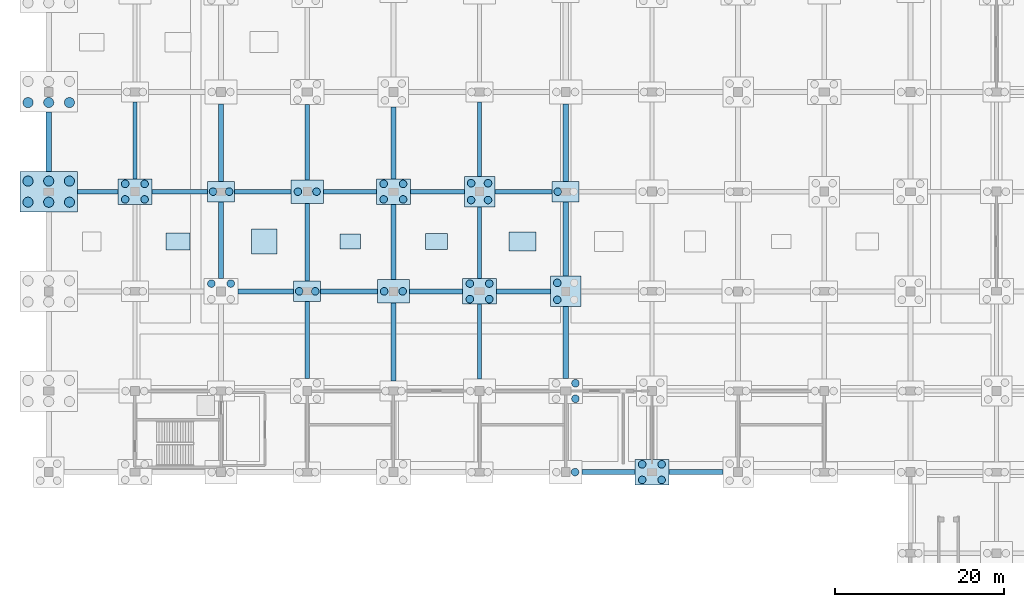
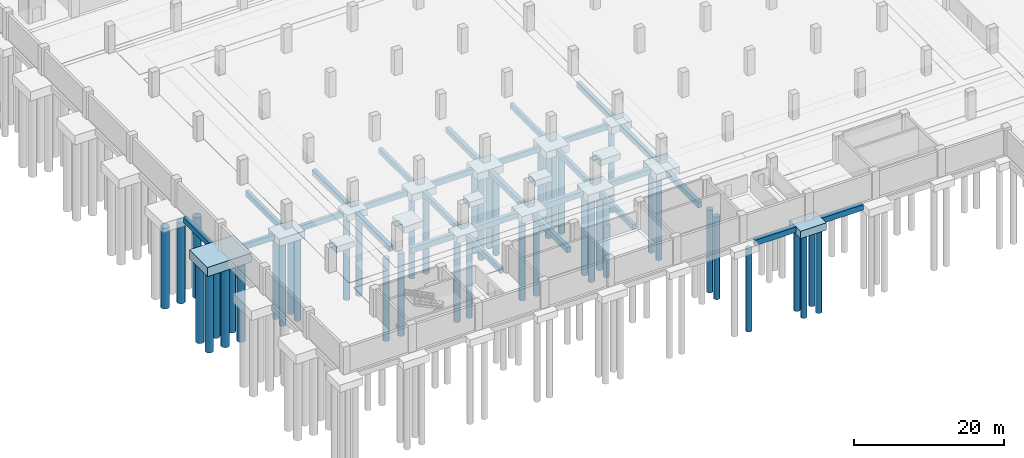
# One storey, part 2 of 52: 45 footings, 45 piles.
"""IFC4 building model written with IfcOpenShell, lengths in metres."""

from ifc_helpers import new_model, si_unit, direction, frame, origin, origin_2d, place, context, subcontext, project, spatial, polyline, rectangle, circle, outline, extrude, material, material_profile, profile_set, type_object, element, save


model = new_model("IFC4")

# Units and contexts
model_context = context("Model", 3, precision=1e-05, world=origin(), true_north=direction((0.0, 1.0)))
body_context = subcontext(model_context, "Body", "Model", "MODEL_VIEW")
ifc_project = project(units=[si_unit("LENGTHUNIT", "METRE"), si_unit("AREAUNIT", "SQUARE_METRE"), si_unit("VOLUMEUNIT", "CUBIC_METRE"), si_unit("PLANEANGLEUNIT", "RADIAN"), si_unit("MASSUNIT", "GRAM", prefix="KILO")], contexts=[model_context])

# Site, building, storey
site_placement = place(None, origin())
site = spatial("IfcSite", under=ifc_project, at=site_placement, CompositionType="ELEMENT")
building_placement = place(site_placement, origin())
building = spatial("IfcBuilding", under=site, at=building_placement, Name="Brelvane Convention Centre", CompositionType="ELEMENT")
storey_placement = place(building_placement, frame((0.0, 0.0, -4.5)))
storey = spatial("IfcBuildingStorey", under=building, at=storey_placement, Name="B1", CompositionType="ELEMENT", Elevation=-4.5)

# Piles
ifc_material_1 = material(Name="Concrete M40", Category="concrete")
ifc_material_profile_1 = material_profile(ifc_material_1, circle(Radius=0.60009765625, at=origin_2d()), Name="PILE D1200")
ifc_profile_set_1 = profile_set([ifc_material_profile_1], Name="Concrete M40")
pile_type_1 = type_object("IfcPileType", Name="Bored Pile PL-1200", PredefinedType="BORED", material=ifc_profile_set_1)
for number, where, z_axis, x_axis, name in (
    (1, (-2.449951171875, 51.14990234375, -1.85009765625), (0.0, 0.0, -1.0), (1.0, 0.0, 0.0), "Bored Pile PL-1200 1-F-1"),
    (2, (0.0, 51.14990234375, -1.85009765625), (0.0, 0.0, -1.0), (1.0, 0.0, 0.0), "Bored Pile PL-1200 1-F-2"),
    (3, (2.449951171875, 51.14990234375, -1.85009765625), (0.0, 0.0, -1.0), (1.0, 0.0, 0.0), "Bored Pile PL-1200 1-F-3"),
    (4, (-2.449951171875, 53.64990234375, -1.85009765625), (0.0, 0.0, -1.0), (1.0, 0.0, 0.0), "Bored Pile PL-1200 1-F-4"),
    (5, (0.0, 53.64990234375, -1.85009765625), (0.0, 0.0, -1.0), (1.0, 0.0, 0.0), "Bored Pile PL-1200 1-F-5"),
    (6, (2.449951171875, 53.64990234375, -1.85009765625), (0.0, 0.0, -1.0), (1.0, 0.0, 0.0), "Bored Pile PL-1200 1-F-6"),
    (7, (-2.449951171875, 62.949951171875, -1.85009765625), (0.0, 0.0, -1.0), (1.0, 0.0, 0.0), "Bored Pile PL-1200 1-G-1"),
    (8, (0.0, 62.949951171875, -1.85009765625), (0.0, 0.0, -1.0), (1.0, 0.0, 0.0), "Bored Pile PL-1200 1-G-2"),
    (9, (2.449951171875, 62.949951171875, -1.85009765625), (0.0, 0.0, -1.0), (1.0, 0.0, 0.0), "Bored Pile PL-1200 1-G-3"),
):
    element("IfcPile", number, at=place(storey_placement, frame(where, z_axis=z_axis, x_axis=x_axis)), inside=storey, type_object=pile_type_1, Name=name, PredefinedType="BORED", context=body_context, shape_type="SweptSolid", body=[
        extrude(circle(Radius=0.60009765625, at=origin_2d()), origin(), (0.0, 0.0, 1.0), 13.14990234375),
    ])
ifc_material_2 = material(Name="Concrete M40", Category="concrete")
ifc_material_profile_2 = material_profile(ifc_material_2, circle(Radius=0.449951171875, at=origin_2d()), Name="PILE D900")
ifc_profile_set_2 = profile_set([ifc_material_profile_2], Name="Concrete M40")
pile_type_2 = type_object("IfcPileType", Name="Bored Pile PL-900", PredefinedType="BORED", material=ifc_profile_set_2)
for number, where, z_axis, x_axis, name in (
    (10, (9.050048828125, 51.47998046875, -1.550048828125), (0.0, 0.0, -1.0), (1.0, 0.0, 0.0), "Bored Pile PL-900 2-F-1"),
    (11, (11.35009765625, 51.47998046875, -1.550048828125), (0.0, 0.0, -1.0), (1.0, 0.0, 0.0), "Bored Pile PL-900 2-F-2"),
    (12, (9.050048828125, 53.320068359375, -1.550048828125), (0.0, 0.0, -1.0), (1.0, 0.0, 0.0), "Bored Pile PL-900 2-F-3"),
    (13, (11.35009765625, 53.320068359375, -1.550048828125), (0.0, 0.0, -1.0), (1.0, 0.0, 0.0), "Bored Pile PL-900 2-F-4"),
    (14, (19.25, 41.52001953125, -1.550048828125), (0.0, 0.0, -1.0), (1.0, 0.0, 0.0), "Bored Pile PL-900 3-E-3"),
    (15, (21.550048828125, 41.52001953125, -1.550048828125), (0.0, 0.0, -1.0), (1.0, 0.0, 0.0), "Bored Pile PL-900 3-E-4"),
):
    element("IfcPile", number, at=place(storey_placement, frame(where, z_axis=z_axis, x_axis=x_axis)), inside=storey, type_object=pile_type_2, Name=name, PredefinedType="BORED", context=body_context, shape_type="SweptSolid", body=[
        extrude(circle(Radius=0.449951171875, at=origin_2d()), origin(), (0.0, 0.0, 1.0), 13.449951171875),
    ])
for number, where, z_axis, x_axis, name in (
    (16, (19.449951171875, 52.39990234375, -1.449951171875), (0.0, 0.0, -1.0), (1.0, 0.0, 0.0), "Bored Pile PL-900 3-F-1"),
    (17, (21.35009765625, 52.39990234375, -1.449951171875), (0.0, 0.0, -1.0), (1.0, 0.0, 0.0), "Bored Pile PL-900 3-F-2"),
    (18, (29.64990234375, 40.60009765625, -1.449951171875), (0.0, 0.0, -1.0), (1.0, 0.0, 0.0), "Bored Pile PL-900 4-E-1"),
    (19, (31.550048828125, 40.60009765625, -1.449951171875), (0.0, 0.0, -1.0), (1.0, 0.0, 0.0), "Bored Pile PL-900 4-E-2"),
):
    element("IfcPile", number, at=place(storey_placement, frame(where, z_axis=z_axis, x_axis=x_axis)), inside=storey, type_object=pile_type_2, Name=name, PredefinedType="BORED", context=body_context, shape_type="SweptSolid", body=[
        extrude(circle(Radius=0.449951171875, at=origin_2d()), origin(), (0.0, 0.0, 1.0), 13.550048828125),
    ])
for number, where, z_axis, x_axis, name in (
    (20, (29.5, 52.39990234375, -1.5), (0.0, 0.0, -1.0), (1.0, 0.0, 0.0), "Bored Pile PL-900 4-F-1"),
    (21, (31.699951171875, 52.39990234375, -1.5), (0.0, 0.0, -1.0), (1.0, 0.0, 0.0), "Bored Pile PL-900 4-F-2"),
    (22, (39.699951171875, 40.60009765625, -1.5), (0.0, 0.0, -1.0), (1.0, 0.0, 0.0), "Bored Pile PL-900 5-E-1"),
    (23, (41.89990234375, 40.60009765625, -1.5), (0.0, 0.0, -1.0), (1.0, 0.0, 0.0), "Bored Pile PL-900 5-E-2"),
):
    element("IfcPile", number, at=place(storey_placement, frame(where, z_axis=z_axis, x_axis=x_axis)), inside=storey, type_object=pile_type_2, Name=name, PredefinedType="BORED", context=body_context, shape_type="SweptSolid", body=[
        extrude(circle(Radius=0.449951171875, at=origin_2d()), origin(), (0.0, 0.0, 1.0), 13.5),
    ])
for number, where, z_axis, x_axis, name in (
    (24, (39.64990234375, 51.47998046875, -1.550048828125), (0.0, 0.0, -1.0), (1.0, 0.0, 0.0), "Bored Pile PL-900 5-F-1"),
    (25, (41.949951171875, 51.47998046875, -1.550048828125), (0.0, 0.0, -1.0), (1.0, 0.0, 0.0), "Bored Pile PL-900 5-F-2"),
    (26, (39.64990234375, 53.320068359375, -1.550048828125), (0.0, 0.0, -1.0), (1.0, 0.0, 0.0), "Bored Pile PL-900 5-F-3"),
    (27, (41.949951171875, 53.320068359375, -1.550048828125), (0.0, 0.0, -1.0), (1.0, 0.0, 0.0), "Bored Pile PL-900 5-F-4"),
    (28, (49.85009765625, 39.679931640625, -1.550048828125), (0.0, 0.0, -1.0), (1.0, 0.0, 0.0), "Bored Pile PL-900 6-E-1"),
    (29, (52.14990234375, 39.679931640625, -1.550048828125), (0.0, 0.0, -1.0), (1.0, 0.0, 0.0), "Bored Pile PL-900 6-E-2"),
    (30, (49.85009765625, 41.52001953125, -1.550048828125), (0.0, 0.0, -1.0), (1.0, 0.0, 0.0), "Bored Pile PL-900 6-E-3"),
    (31, (52.14990234375, 41.52001953125, -1.550048828125), (0.0, 0.0, -1.0), (1.0, 0.0, 0.0), "Bored Pile PL-900 6-E-4"),
    (32, (50.0, 51.39990234375, -1.550048828125), (0.0, 0.0, -1.0), (1.0, 0.0, 0.0), "Bored Pile PL-900 6-F-1"),
    (33, (52.0, 51.39990234375, -1.550048828125), (0.0, 0.0, -1.0), (1.0, 0.0, 0.0), "Bored Pile PL-900 6-F-2"),
    (34, (50.0, 53.39990234375, -1.550048828125), (0.0, 0.0, -1.0), (1.0, 0.0, 0.0), "Bored Pile PL-900 6-F-3"),
    (35, (52.0, 53.39990234375, -1.550048828125), (0.0, 0.0, -1.0), (1.0, 0.0, 0.0), "Bored Pile PL-900 6-F-4"),
):
    element("IfcPile", number, at=place(storey_placement, frame(where, z_axis=z_axis, x_axis=x_axis)), inside=storey, type_object=pile_type_2, Name=name, PredefinedType="BORED", context=body_context, shape_type="SweptSolid", body=[
        extrude(circle(Radius=0.449951171875, at=origin_2d()), origin(), (0.0, 0.0, 1.0), 13.449951171875),
    ])
pile_1_placement = place(storey_placement, frame((62.300048828125, 19.199951171875, -1.5), z_axis=(0.0, 0.0, -1.0), x_axis=(1.0, 0.0, 0.0)))
element("IfcPile", 36, at=pile_1_placement, inside=storey, type_object=pile_type_2, Name="Bored Pile PL-900 7-C-2", PredefinedType="BORED", context=body_context, shape_type="SweptSolid", body=[
    extrude(circle(Radius=0.449951171875, at=origin_2d()), origin(), (0.0, 0.0, 1.0), 13.5),
])
for number, where, z_axis, x_axis, name in (
    (37, (62.35009765625, 27.8798828125, -1.550048828125), (0.0, 0.0, -1.0), (1.0, 0.0, 0.0), "Bored Pile PL-900 7-D-2"),
    (38, (62.35009765625, 29.719970703125, -1.550048828125), (0.0, 0.0, -1.0), (1.0, 0.0, 0.0), "Bored Pile PL-900 7-D-4"),
    (39, (60.199951171875, 39.60009765625, -1.550048828125), (0.0, 0.0, -1.0), (1.0, 0.0, 0.0), "Bored Pile PL-900 7-E-1"),
    (40, (60.199951171875, 41.60009765625, -1.550048828125), (0.0, 0.0, -1.0), (1.0, 0.0, 0.0), "Bored Pile PL-900 7-E-3"),
):
    element("IfcPile", number, at=place(storey_placement, frame(where, z_axis=z_axis, x_axis=x_axis)), inside=storey, type_object=pile_type_2, Name=name, PredefinedType="BORED", context=body_context, shape_type="SweptSolid", body=[
        extrude(circle(Radius=0.449951171875, at=origin_2d()), origin(), (0.0, 0.0, 1.0), 13.449951171875),
    ])
pile_2_placement = place(storey_placement, frame((60.25, 52.39990234375, -1.449951171875), z_axis=(0.0, 0.0, -1.0), x_axis=(1.0, 0.0, 0.0)))
element("IfcPile", 41, at=pile_2_placement, inside=storey, type_object=pile_type_2, Name="Bored Pile PL-900 7-F-1", PredefinedType="BORED", context=body_context, shape_type="SweptSolid", body=[
    extrude(circle(Radius=0.449951171875, at=origin_2d()), origin(), (0.0, 0.0, 1.0), 13.550048828125),
])
for number, where, z_axis, x_axis, name in (
    (42, (70.25, 18.280029296875, -1.550048828125), (0.0, 0.0, -1.0), (1.0, 0.0, 0.0), "Bored Pile PL-900 8-C-1"),
    (43, (72.550048828125, 18.280029296875, -1.550048828125), (0.0, 0.0, -1.0), (1.0, 0.0, 0.0), "Bored Pile PL-900 8-C-2"),
    (44, (70.25, 20.1201171875, -1.550048828125), (0.0, 0.0, -1.0), (1.0, 0.0, 0.0), "Bored Pile PL-900 8-C-3"),
    (45, (72.550048828125, 20.1201171875, -1.550048828125), (0.0, 0.0, -1.0), (1.0, 0.0, 0.0), "Bored Pile PL-900 8-C-4"),
):
    element("IfcPile", number, at=place(storey_placement, frame(where, z_axis=z_axis, x_axis=x_axis)), inside=storey, type_object=pile_type_2, Name=name, PredefinedType="BORED", context=body_context, shape_type="SweptSolid", body=[
        extrude(circle(Radius=0.449951171875, at=origin_2d()), origin(), (0.0, 0.0, 1.0), 13.449951171875),
    ])

# Footings
ifc_material_3 = material(Name="Concrete M40", Category="concrete")
ifc_material_profile_3 = material_profile(ifc_material_3, rectangle(XDim=0.60009765625, YDim=0.89990234375, at=origin_2d()), Name="RC 600x900")
ifc_profile_set_3 = profile_set([ifc_material_profile_3], Name="Concrete M40")
footing_type_1 = type_object("IfcFootingType", Name="Ground Tie Beam GB-1", PredefinedType="FOOTING_BEAM", material=ifc_profile_set_3)
footing_1_placement = place(storey_placement, frame((0.0, 54.800048828125, -0.89990234375), z_axis=(0.0, 1.0, 0.0), x_axis=(-1.0, 0.0, 0.0)))
element("IfcFooting", 46, at=footing_1_placement, inside=storey, type_object=footing_type_1, Name="Ground Tie Beam GB-1 1/F-G", PredefinedType="FOOTING_BEAM", context=body_context, shape_type="SweptSolid", body=[
    extrude(rectangle(XDim=0.60009765625, YDim=0.89990234375, at=origin_2d()), origin(), (0.0, 0.0, 1.0), 7.0),
])
footing_2_placement = place(storey_placement, frame((22.39990234375, 40.60009765625, -0.89990234375), z_axis=(1.0, 0.0, 0.0), x_axis=(0.0, 1.0, 0.0)))
element("IfcFooting", 47, at=footing_2_placement, inside=storey, type_object=footing_type_1, Name="Ground Tie Beam GB-1 3-4/E", PredefinedType="FOOTING_BEAM", context=body_context, shape_type="SweptSolid", body=[
    extrude(rectangle(XDim=0.60009765625, YDim=0.89990234375, at=origin_2d()), origin(), (0.0, 0.0, 1.0), 6.60009765625),
])
footing_3_placement = place(storey_placement, frame((20.39990234375, 42.10009765625, -0.89990234375), z_axis=(0.0, 1.0, 0.0), x_axis=(-1.0, 0.0, 0.0)))
element("IfcFooting", 48, at=footing_3_placement, inside=storey, type_object=footing_type_1, Name="Ground Tie Beam GB-1 3/E-F", PredefinedType="FOOTING_BEAM", context=body_context, shape_type="SweptSolid", body=[
    extrude(rectangle(XDim=0.60009765625, YDim=0.89990234375, at=origin_2d()), origin(), (0.0, 0.0, 1.0), 9.099853515625),
])
footing_4_placement = place(storey_placement, frame((20.39990234375, 53.60009765625, -0.89990234375), z_axis=(0.0, 1.0, 0.0), x_axis=(-1.0, 0.0, 0.0)))
element("IfcFooting", 49, at=footing_4_placement, inside=storey, type_object=footing_type_1, Name="Ground Tie Beam GB-1 3/F-G", PredefinedType="FOOTING_BEAM", context=body_context, shape_type="SweptSolid", body=[
    extrude(rectangle(XDim=0.60009765625, YDim=0.89990234375, at=origin_2d()), origin(), (0.0, 0.0, 1.0), 9.199951171875),
])
footing_5_placement = place(storey_placement, frame((32.199951171875, 40.60009765625, -0.89990234375), z_axis=(1.0, 0.0, 0.0), x_axis=(0.0, 1.0, 0.0)))
element("IfcFooting", 50, at=footing_5_placement, inside=storey, type_object=footing_type_1, Name="Ground Tie Beam GB-1 4-5/E", PredefinedType="FOOTING_BEAM", context=body_context, shape_type="SweptSolid", body=[
    extrude(rectangle(XDim=0.60009765625, YDim=0.89990234375, at=origin_2d()), origin(), (0.0, 0.0, 1.0), 6.699951171875),
])
footing_6_placement = place(storey_placement, frame((40.800048828125, 30.0, -0.89990234375), z_axis=(0.0, 1.0, 0.0), x_axis=(-1.0, 0.0, 0.0)))
element("IfcFooting", 51, at=footing_6_placement, inside=storey, type_object=footing_type_1, Name="Ground Tie Beam GB-1 5/D-E", PredefinedType="FOOTING_BEAM", context=body_context, shape_type="SweptSolid", body=[
    extrude(rectangle(XDim=0.60009765625, YDim=0.89990234375, at=origin_2d()), origin(), (0.0, 0.0, 1.0), 9.199951171875),
])
footing_7_placement = place(storey_placement, frame((42.699951171875, 40.60009765625, -0.89990234375), z_axis=(1.0, 0.0, 0.0), x_axis=(0.0, 1.0, 0.0)))
element("IfcFooting", 52, at=footing_7_placement, inside=storey, type_object=footing_type_1, Name="Ground Tie Beam GB-1 5-6/E", PredefinedType="FOOTING_BEAM", context=body_context, shape_type="SweptSolid", body=[
    extrude(rectangle(XDim=0.60009765625, YDim=0.89990234375, at=origin_2d()), origin(), (0.0, 0.0, 1.0), 6.300048828125),
])
footing_8_placement = place(storey_placement, frame((40.800048828125, 42.0, -0.89990234375), z_axis=(0.0, 1.0, 0.0), x_axis=(-1.0, 0.0, 0.0)))
element("IfcFooting", 53, at=footing_8_placement, inside=storey, type_object=footing_type_1, Name="Ground Tie Beam GB-1 5/E-F", PredefinedType="FOOTING_BEAM", context=body_context, shape_type="SweptSolid", body=[
    extrude(rectangle(XDim=0.60009765625, YDim=0.89990234375, at=origin_2d()), origin(), (0.0, 0.0, 1.0), 8.89990234375),
])
footing_9_placement = place(storey_placement, frame((40.800048828125, 53.89990234375, -0.89990234375), z_axis=(0.0, 1.0, 0.0), x_axis=(-1.0, 0.0, 0.0)))
element("IfcFooting", 54, at=footing_9_placement, inside=storey, type_object=footing_type_1, Name="Ground Tie Beam GB-1 5/F-G", PredefinedType="FOOTING_BEAM", context=body_context, shape_type="SweptSolid", body=[
    extrude(rectangle(XDim=0.60009765625, YDim=0.89990234375, at=origin_2d()), origin(), (0.0, 0.0, 1.0), 8.5),
])
footing_10_placement = place(storey_placement, frame((53.0, 40.60009765625, -0.89990234375), z_axis=(1.0, 0.0, 0.0), x_axis=(0.0, 1.0, 0.0)))
element("IfcFooting", 55, at=footing_10_placement, inside=storey, type_object=footing_type_1, Name="Ground Tie Beam GB-1 6-7/E", PredefinedType="FOOTING_BEAM", context=body_context, shape_type="SweptSolid", body=[
    extrude(rectangle(XDim=0.60009765625, YDim=0.89990234375, at=origin_2d()), origin(), (0.0, 0.0, 1.0), 6.39990234375),
])
footing_11_placement = place(storey_placement, frame((63.10009765625, 19.199951171875, -0.89990234375), z_axis=(1.0, 0.0, 0.0), x_axis=(0.0, 1.0, 0.0)))
element("IfcFooting", 56, at=footing_11_placement, inside=storey, type_object=footing_type_1, Name="Ground Tie Beam GB-1 7-8/C", PredefinedType="FOOTING_BEAM", context=body_context, shape_type="SweptSolid", body=[
    extrude(rectangle(XDim=0.60009765625, YDim=0.89990234375, at=origin_2d()), origin(), (0.0, 0.0, 1.0), 6.2998046875),
])
footing_12_placement = place(storey_placement, frame((61.199951171875, 30.300048828125, -0.89990234375), z_axis=(0.0, 1.0, 0.0), x_axis=(-1.0, 0.0, 0.0)))
element("IfcFooting", 57, at=footing_12_placement, inside=storey, type_object=footing_type_1, Name="Ground Tie Beam GB-1 7/D-E", PredefinedType="FOOTING_BEAM", context=body_context, shape_type="SweptSolid", body=[
    extrude(rectangle(XDim=0.60009765625, YDim=0.89990234375, at=origin_2d()), origin(), (0.0, 0.0, 1.0), 8.5),
])
footing_13_placement = place(storey_placement, frame((61.199951171875, 42.39990234375, -0.89990234375), z_axis=(0.0, 1.0, 0.0), x_axis=(-1.0, 0.0, 0.0)))
element("IfcFooting", 58, at=footing_13_placement, inside=storey, type_object=footing_type_1, Name="Ground Tie Beam GB-1 7/E-F", PredefinedType="FOOTING_BEAM", context=body_context, shape_type="SweptSolid", body=[
    extrude(rectangle(XDim=0.60009765625, YDim=0.89990234375, at=origin_2d()), origin(), (0.0, 0.0, 1.0), 8.800048828125),
])
footing_14_placement = place(storey_placement, frame((61.199951171875, 53.60009765625, -0.89990234375), z_axis=(0.0, 1.0, 0.0), x_axis=(-1.0, 0.0, 0.0)))
element("IfcFooting", 59, at=footing_14_placement, inside=storey, type_object=footing_type_1, Name="Ground Tie Beam GB-1 7/F-G", PredefinedType="FOOTING_BEAM", context=body_context, shape_type="SweptSolid", body=[
    extrude(rectangle(XDim=0.60009765625, YDim=0.89990234375, at=origin_2d()), origin(), (0.0, 0.0, 1.0), 9.199951171875),
])
footing_15_placement = place(storey_placement, frame((73.39990234375, 19.199951171875, -0.89990234375), z_axis=(1.0, 0.0, 0.0), x_axis=(0.0, 1.0, 0.0)))
element("IfcFooting", 60, at=footing_15_placement, inside=storey, type_object=footing_type_1, Name="Ground Tie Beam GB-1 8-9/C", PredefinedType="FOOTING_BEAM", context=body_context, shape_type="SweptSolid", body=[
    extrude(rectangle(XDim=0.60009765625, YDim=0.89990234375, at=origin_2d()), origin(), (0.0, 0.0, 1.0), 6.400146484375),
])
ifc_material_4 = material(Name="Concrete M40", Category="concrete")
ifc_material_profile_4 = material_profile(ifc_material_4, rectangle(XDim=0.5, YDim=0.89990234375, at=origin_2d()), Name="RC 500x900")
ifc_profile_set_4 = profile_set([ifc_material_profile_4], Name="Concrete M40")
footing_type_2 = type_object("IfcFootingType", Name="Ground Tie Beam GB-2", PredefinedType="FOOTING_BEAM", material=ifc_profile_set_4)
footing_16_placement = place(storey_placement, frame((3.39990234375, 52.39990234375, -0.89990234375), z_axis=(1.0, 0.0, 0.0), x_axis=(0.0, 1.0, 0.0)))
element("IfcFooting", 61, at=footing_16_placement, inside=storey, type_object=footing_type_2, Name="Ground Tie Beam GB-2 1-2/F", PredefinedType="FOOTING_BEAM", context=body_context, shape_type="SweptSolid", body=[
    extrude(rectangle(XDim=0.5, YDim=0.89990234375, at=origin_2d()), origin(), (0.0, 0.0, 1.0), 4.800048828125),
])
footing_17_placement = place(storey_placement, frame((12.199951171875, 52.39990234375, -0.89990234375), z_axis=(1.0, 0.0, 0.0), x_axis=(0.0, 1.0, 0.0)))
element("IfcFooting", 62, at=footing_17_placement, inside=storey, type_object=footing_type_2, Name="Ground Tie Beam GB-2 2-3/F", PredefinedType="FOOTING_BEAM", context=body_context, shape_type="SweptSolid", body=[
    extrude(rectangle(XDim=0.5, YDim=0.89990234375, at=origin_2d()), origin(), (0.0, 0.0, 1.0), 6.60009765625),
])
footing_18_placement = place(storey_placement, frame((10.199951171875, 53.89990234375, -0.89990234375), z_axis=(0.0, 1.0, 0.0), x_axis=(-1.0, 0.0, 0.0)))
element("IfcFooting", 63, at=footing_18_placement, inside=storey, type_object=footing_type_2, Name="Ground Tie Beam GB-2 2/F-G", PredefinedType="FOOTING_BEAM", context=body_context, shape_type="SweptSolid", body=[
    extrude(rectangle(XDim=0.5, YDim=0.89990234375, at=origin_2d()), origin(), (0.0, 0.0, 1.0), 9.10009765625),
])
footing_19_placement = place(storey_placement, frame((22.0, 52.39990234375, -0.89990234375), z_axis=(1.0, 0.0, 0.0), x_axis=(0.0, 1.0, 0.0)))
element("IfcFooting", 64, at=footing_19_placement, inside=storey, type_object=footing_type_2, Name="Ground Tie Beam GB-2 3-4/F", PredefinedType="FOOTING_BEAM", context=body_context, shape_type="SweptSolid", body=[
    extrude(rectangle(XDim=0.5, YDim=0.89990234375, at=origin_2d()), origin(), (0.0, 0.0, 1.0), 6.699951171875),
])
footing_20_placement = place(storey_placement, frame((30.60009765625, 30.300048828125, -0.89990234375), z_axis=(0.0, 1.0, 0.0), x_axis=(-1.0, 0.0, 0.0)))
element("IfcFooting", 65, at=footing_20_placement, inside=storey, type_object=footing_type_2, Name="Ground Tie Beam GB-2 4/D-E", PredefinedType="FOOTING_BEAM", context=body_context, shape_type="SweptSolid", body=[
    extrude(rectangle(XDim=0.5, YDim=0.89990234375, at=origin_2d()), origin(), (0.0, 0.0, 1.0), 9.099853515625),
])
footing_21_placement = place(storey_placement, frame((30.60009765625, 41.800048828125, -0.89990234375), z_axis=(0.0, 1.0, 0.0), x_axis=(-1.0, 0.0, 0.0)))
element("IfcFooting", 66, at=footing_21_placement, inside=storey, type_object=footing_type_2, Name="Ground Tie Beam GB-2 4/E-F", PredefinedType="FOOTING_BEAM", context=body_context, shape_type="SweptSolid", body=[
    extrude(rectangle(XDim=0.5, YDim=0.89990234375, at=origin_2d()), origin(), (0.0, 0.0, 1.0), 9.199951171875),
])
footing_22_placement = place(storey_placement, frame((32.5, 52.39990234375, -0.89990234375), z_axis=(1.0, 0.0, 0.0), x_axis=(0.0, 1.0, 0.0)))
element("IfcFooting", 67, at=footing_22_placement, inside=storey, type_object=footing_type_2, Name="Ground Tie Beam GB-2 4-5/F", PredefinedType="FOOTING_BEAM", context=body_context, shape_type="SweptSolid", body=[
    extrude(rectangle(XDim=0.5, YDim=0.89990234375, at=origin_2d()), origin(), (0.0, 0.0, 1.0), 6.300048828125),
])
footing_23_placement = place(storey_placement, frame((30.60009765625, 53.800048828125, -0.89990234375), z_axis=(0.0, 1.0, 0.0), x_axis=(-1.0, 0.0, 0.0)))
element("IfcFooting", 68, at=footing_23_placement, inside=storey, type_object=footing_type_2, Name="Ground Tie Beam GB-2 4/F-G", PredefinedType="FOOTING_BEAM", context=body_context, shape_type="SweptSolid", body=[
    extrude(rectangle(XDim=0.5, YDim=0.89990234375, at=origin_2d()), origin(), (0.0, 0.0, 1.0), 8.89990234375),
])
footing_24_placement = place(storey_placement, frame((42.800048828125, 52.39990234375, -0.89990234375), z_axis=(1.0, 0.0, 0.0), x_axis=(0.0, 1.0, 0.0)))
element("IfcFooting", 69, at=footing_24_placement, inside=storey, type_object=footing_type_2, Name="Ground Tie Beam GB-2 5-6/F", PredefinedType="FOOTING_BEAM", context=body_context, shape_type="SweptSolid", body=[
    extrude(rectangle(XDim=0.5, YDim=0.89990234375, at=origin_2d()), origin(), (0.0, 0.0, 1.0), 6.39990234375),
])
footing_25_placement = place(storey_placement, frame((51.0, 30.199951171875, -0.89990234375), z_axis=(0.0, 1.0, 0.0), x_axis=(-1.0, 0.0, 0.0)))
element("IfcFooting", 70, at=footing_25_placement, inside=storey, type_object=footing_type_2, Name="Ground Tie Beam GB-2 6/D-E", PredefinedType="FOOTING_BEAM", context=body_context, shape_type="SweptSolid", body=[
    extrude(rectangle(XDim=0.5, YDim=0.89990234375, at=origin_2d()), origin(), (0.0, 0.0, 1.0), 8.900146484375),
])
footing_26_placement = place(storey_placement, frame((51.0, 42.10009765625, -0.89990234375), z_axis=(0.0, 1.0, 0.0), x_axis=(-1.0, 0.0, 0.0)))
element("IfcFooting", 71, at=footing_26_placement, inside=storey, type_object=footing_type_2, Name="Ground Tie Beam GB-2 6/E-F", PredefinedType="FOOTING_BEAM", context=body_context, shape_type="SweptSolid", body=[
    extrude(rectangle(XDim=0.5, YDim=0.89990234375, at=origin_2d()), origin(), (0.0, 0.0, 1.0), 8.5),
])
footing_27_placement = place(storey_placement, frame((52.800048828125, 52.39990234375, -0.89990234375), z_axis=(1.0, 0.0, 0.0), x_axis=(0.0, 1.0, 0.0)))
element("IfcFooting", 72, at=footing_27_placement, inside=storey, type_object=footing_type_2, Name="Ground Tie Beam GB-2 6-7/F", PredefinedType="FOOTING_BEAM", context=body_context, shape_type="SweptSolid", body=[
    extrude(rectangle(XDim=0.5, YDim=0.89990234375, at=origin_2d()), origin(), (0.0, 0.0, 1.0), 6.800048828125),
])
footing_28_placement = place(storey_placement, frame((51.0, 54.199951171875, -0.89990234375), z_axis=(0.0, 1.0, 0.0), x_axis=(-1.0, 0.0, 0.0)))
element("IfcFooting", 73, at=footing_28_placement, inside=storey, type_object=footing_type_2, Name="Ground Tie Beam GB-2 6/F-G", PredefinedType="FOOTING_BEAM", context=body_context, shape_type="SweptSolid", body=[
    extrude(rectangle(XDim=0.5, YDim=0.89990234375, at=origin_2d()), origin(), (0.0, 0.0, 1.0), 8.800048828125),
])
ifc_material_5 = material(Name="Concrete M40", Category="concrete")
footing_type_3 = type_object("IfcFootingType", Name="Pad Footing PF-2", PredefinedType="PAD_FOOTING", material=ifc_material_5)
footing_29_placement = place(storey_placement, frame((0.0, 0.0, -1.39990234375)))
element("IfcFooting", 74, at=footing_29_placement, inside=storey, type_object=footing_type_3, Name="Sub-Slab Equipment Pad Footing PF-2", PredefinedType="PAD_FOOTING", context=body_context, shape_type="SweptSolid", body=[
    extrude(outline(polyline([(13.89990234375, 45.5), (16.699951171875, 45.5), (16.699951171875, 47.5), (13.89990234375, 47.5), (13.89990234375, 45.5)])), origin(), (0.0, 0.0, 1.0), 0.949951171875),
])
ifc_material_6 = material(Name="Concrete M40", Category="concrete")
footing_type_4 = type_object("IfcFootingType", Name="Pad Footing PF-3", PredefinedType="PAD_FOOTING", material=ifc_material_6)
footing_30_placement = place(storey_placement, frame((0.0, 0.0, -1.5)))
element("IfcFooting", 75, at=footing_30_placement, inside=storey, type_object=footing_type_4, Name="Sub-Slab Equipment Pad Footing PF-3", PredefinedType="PAD_FOOTING", context=body_context, shape_type="SweptSolid", body=[
    extrude(outline(polyline([(24.0, 45.0), (27.0, 45.0), (27.0, 48.0), (24.0, 48.0), (24.0, 45.0)])), origin(), (0.0, 0.0, 1.0), 1.050048828125),
])
ifc_material_7 = material(Name="Concrete M40", Category="concrete")
footing_type_5 = type_object("IfcFootingType", Name="Pad Footing PF-4", PredefinedType="PAD_FOOTING", material=ifc_material_7)
footing_31_placement = place(storey_placement, frame((0.0, 0.0, -1.330078125)))
element("IfcFooting", 76, at=footing_31_placement, inside=storey, type_object=footing_type_5, Name="Sub-Slab Equipment Pad Footing PF-4", PredefinedType="PAD_FOOTING", context=body_context, shape_type="SweptSolid", body=[
    extrude(outline(polyline([(34.5, 45.60009765625), (36.89990234375, 45.60009765625), (36.89990234375, 47.39990234375), (34.5, 47.39990234375), (34.5, 45.60009765625)])), origin(), (0.0, 0.0, 1.0), 0.880126953125),
])
ifc_material_8 = material(Name="Concrete M40", Category="concrete")
footing_type_6 = type_object("IfcFootingType", Name="Pad Footing PF-5", PredefinedType="PAD_FOOTING", material=ifc_material_8)
footing_32_placement = place(storey_placement, frame((0.0, 0.0, -1.3701171875)))
element("IfcFooting", 77, at=footing_32_placement, inside=storey, type_object=footing_type_6, Name="Sub-Slab Equipment Pad Footing PF-5", PredefinedType="PAD_FOOTING", context=body_context, shape_type="SweptSolid", body=[
    extrude(outline(polyline([(44.60009765625, 45.550048828125), (47.199951171875, 45.550048828125), (47.199951171875, 47.449951171875), (44.60009765625, 47.449951171875), (44.60009765625, 45.550048828125)])), origin(), (0.0, 0.0, 1.0), 0.920166015625),
])
ifc_material_9 = material(Name="Concrete M40", Category="concrete")
footing_type_7 = type_object("IfcFootingType", Name="Pad Footing PF-6", PredefinedType="PAD_FOOTING", material=ifc_material_9)
footing_33_placement = place(storey_placement, frame((0.0, 0.0, -1.429931640625)))
element("IfcFooting", 78, at=footing_33_placement, inside=storey, type_object=footing_type_7, Name="Sub-Slab Equipment Pad Footing PF-6", PredefinedType="PAD_FOOTING", context=body_context, shape_type="SweptSolid", body=[
    extrude(outline(polyline([(54.5, 45.39990234375), (57.699951171875, 45.39990234375), (57.699951171875, 47.60009765625), (54.5, 47.60009765625), (54.5, 45.39990234375)])), origin(), (0.0, 0.0, 1.0), 0.97998046875),
])
ifc_material_10 = material(Name="Concrete M40", Category="concrete")
footing_type_8 = type_object("IfcFootingType", Name="Pile Cap PC-2", PredefinedType="PILE_CAP", material=ifc_material_10)
footing_34_placement = place(storey_placement, frame((0.0, 0.0, -1.550048828125)))
element("IfcFooting", 79, at=footing_34_placement, inside=storey, type_object=footing_type_8, Name="Pile Cap PC-2 at 3-F", PredefinedType="PILE_CAP", context=body_context, shape_type="SweptSolid", body=[
    extrude(outline(polyline([(18.800048828125, 51.199951171875), (22.0, 51.199951171875), (22.0, 53.60009765625), (18.800048828125, 53.60009765625), (18.800048828125, 51.199951171875)])), origin(), (0.0, 0.0, 1.0), 1.10009765625),
])
footing_35_placement = place(storey_placement, frame((0.0, 0.0, -1.550048828125)))
element("IfcFooting", 80, at=footing_35_placement, inside=storey, type_object=footing_type_8, Name="Pile Cap PC-2 at 4-E", PredefinedType="PILE_CAP", context=body_context, shape_type="SweptSolid", body=[
    extrude(outline(polyline([(29.0, 39.39990234375), (32.199951171875, 39.39990234375), (32.199951171875, 41.800048828125), (29.0, 41.800048828125), (29.0, 39.39990234375)])), origin(), (0.0, 0.0, 1.0), 1.10009765625),
])
footing_36_placement = place(storey_placement, frame((0.0, 0.0, -1.550048828125)))
element("IfcFooting", 81, at=footing_36_placement, inside=storey, type_object=footing_type_8, Name="Pile Cap PC-2 at 7-F", PredefinedType="PILE_CAP", context=body_context, shape_type="SweptSolid", body=[
    extrude(outline(polyline([(59.60009765625, 51.199951171875), (62.800048828125, 51.199951171875), (62.800048828125, 53.60009765625), (59.60009765625, 53.60009765625), (59.60009765625, 51.199951171875)])), origin(), (0.0, 0.0, 1.0), 1.10009765625),
])
ifc_material_11 = material(Name="Concrete M40", Category="concrete")
footing_type_9 = type_object("IfcFootingType", Name="Pile Cap PC-3", PredefinedType="PILE_CAP", material=ifc_material_11)
footing_37_placement = place(storey_placement, frame((0.0, 0.0, -1.64990234375)))
element("IfcFooting", 82, at=footing_37_placement, inside=storey, type_object=footing_type_9, Name="Pile Cap PC-3 at 6-F", PredefinedType="PILE_CAP", context=body_context, shape_type="SweptSolid", body=[
    extrude(outline(polyline([(49.199951171875, 50.60009765625), (52.800048828125, 50.60009765625), (52.800048828125, 54.199951171875), (49.199951171875, 54.199951171875), (49.199951171875, 50.60009765625)])), origin(), (0.0, 0.0, 1.0), 1.199951171875),
])
footing_38_placement = place(storey_placement, frame((0.0, 0.0, -1.64990234375)))
element("IfcFooting", 83, at=footing_38_placement, inside=storey, type_object=footing_type_9, Name="Pile Cap PC-3 at 7-E", PredefinedType="PILE_CAP", context=body_context, shape_type="SweptSolid", body=[
    extrude(outline(polyline([(59.39990234375, 38.800048828125), (63.0, 38.800048828125), (63.0, 42.39990234375), (59.39990234375, 42.39990234375), (59.39990234375, 38.800048828125)])), origin(), (0.0, 0.0, 1.0), 1.199951171875),
])
ifc_material_12 = material(Name="Concrete M40", Category="concrete")
footing_type_10 = type_object("IfcFootingType", Name="Pile Cap PC-4", PredefinedType="PILE_CAP", material=ifc_material_12)
footing_39_placement = place(storey_placement, frame((0.0, 0.0, -1.64990234375)))
element("IfcFooting", 84, at=footing_39_placement, inside=storey, type_object=footing_type_10, Name="Pile Cap PC-4 at 2-F", PredefinedType="PILE_CAP", context=body_context, shape_type="SweptSolid", body=[
    extrude(outline(polyline([(8.199951171875, 50.89990234375), (12.199951171875, 50.89990234375), (12.199951171875, 53.89990234375), (8.199951171875, 53.89990234375), (8.199951171875, 50.89990234375)])), origin(), (0.0, 0.0, 1.0), 1.199951171875),
])
footing_40_placement = place(storey_placement, frame((0.0, 0.0, -1.64990234375)))
element("IfcFooting", 85, at=footing_40_placement, inside=storey, type_object=footing_type_10, Name="Pile Cap PC-4 at 5-F", PredefinedType="PILE_CAP", context=body_context, shape_type="SweptSolid", body=[
    extrude(outline(polyline([(38.800048828125, 50.89990234375), (42.800048828125, 50.89990234375), (42.800048828125, 53.89990234375), (38.800048828125, 53.89990234375), (38.800048828125, 50.89990234375)])), origin(), (0.0, 0.0, 1.0), 1.199951171875),
])
footing_41_placement = place(storey_placement, frame((0.0, 0.0, -1.64990234375)))
element("IfcFooting", 86, at=footing_41_placement, inside=storey, type_object=footing_type_10, Name="Pile Cap PC-4 at 6-E", PredefinedType="PILE_CAP", context=body_context, shape_type="SweptSolid", body=[
    extrude(outline(polyline([(49.0, 39.10009765625), (53.0, 39.10009765625), (53.0, 42.10009765625), (49.0, 42.10009765625), (49.0, 39.10009765625)])), origin(), (0.0, 0.0, 1.0), 1.199951171875),
])
footing_42_placement = place(storey_placement, frame((0.0, 0.0, -1.64990234375)))
element("IfcFooting", 87, at=footing_42_placement, inside=storey, type_object=footing_type_10, Name="Pile Cap PC-4 at 8-C", PredefinedType="PILE_CAP", context=body_context, shape_type="SweptSolid", body=[
    extrude(outline(polyline([(69.39990234375, 17.699951171875), (73.39990234375, 17.699951171875), (73.39990234375, 20.699951171875), (69.39990234375, 20.699951171875), (69.39990234375, 17.699951171875)])), origin(), (0.0, 0.0, 1.0), 1.199951171875),
])
ifc_material_13 = material(Name="Concrete M40", Category="concrete")
footing_type_11 = type_object("IfcFootingType", Name="Pile Cap PC-8", PredefinedType="PILE_CAP", material=ifc_material_13)
footing_43_placement = place(storey_placement, frame((0.0, 0.0, -1.949951171875)))
element("IfcFooting", 88, at=footing_43_placement, inside=storey, type_object=footing_type_11, Name="Pile Cap PC-8 at 1-F", PredefinedType="PILE_CAP", context=body_context, shape_type="SweptSolid", body=[
    extrude(outline(polyline([(-3.39990234375, 50.0), (3.39990234375, 50.0), (3.39990234375, 54.800048828125), (-3.39990234375, 54.800048828125), (-3.39990234375, 50.0)])), origin(), (0.0, 0.0, 1.0), 1.5),
])
ifc_material_14 = material(Name="Concrete M40", Category="concrete")
footing_type_12 = type_object("IfcFootingType", Name="Pile Cap PC-9", PredefinedType="PILE_CAP", material=ifc_material_14)
footing_44_placement = place(storey_placement, frame((0.0, 0.0, -1.60009765625)))
element("IfcFooting", 89, at=footing_44_placement, inside=storey, type_object=footing_type_12, Name="Pile Cap PC-9 at 4-F", PredefinedType="PILE_CAP", context=body_context, shape_type="SweptSolid", body=[
    extrude(outline(polyline([(28.699951171875, 51.0), (32.5, 51.0), (32.5, 53.800048828125), (28.699951171875, 53.800048828125), (28.699951171875, 51.0)])), origin(), (0.0, 0.0, 1.0), 1.150146484375),
])
footing_45_placement = place(storey_placement, frame((0.0, 0.0, -1.60009765625)))
element("IfcFooting", 90, at=footing_45_placement, inside=storey, type_object=footing_type_12, Name="Pile Cap PC-9 at 5-E", PredefinedType="PILE_CAP", context=body_context, shape_type="SweptSolid", body=[
    extrude(outline(polyline([(38.89990234375, 39.199951171875), (42.699951171875, 39.199951171875), (42.699951171875, 42.0), (38.89990234375, 42.0), (38.89990234375, 39.199951171875)])), origin(), (0.0, 0.0, 1.0), 1.150146484375),
])

save(model, "model.ifc")
